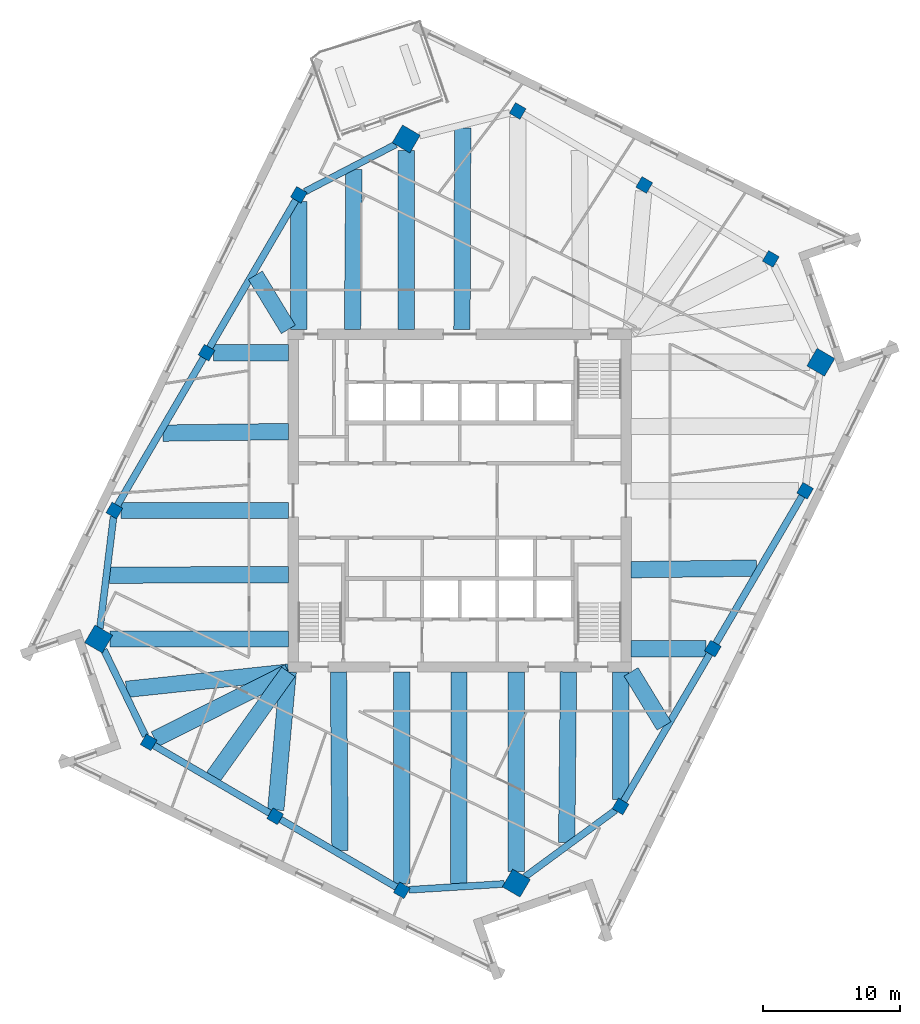
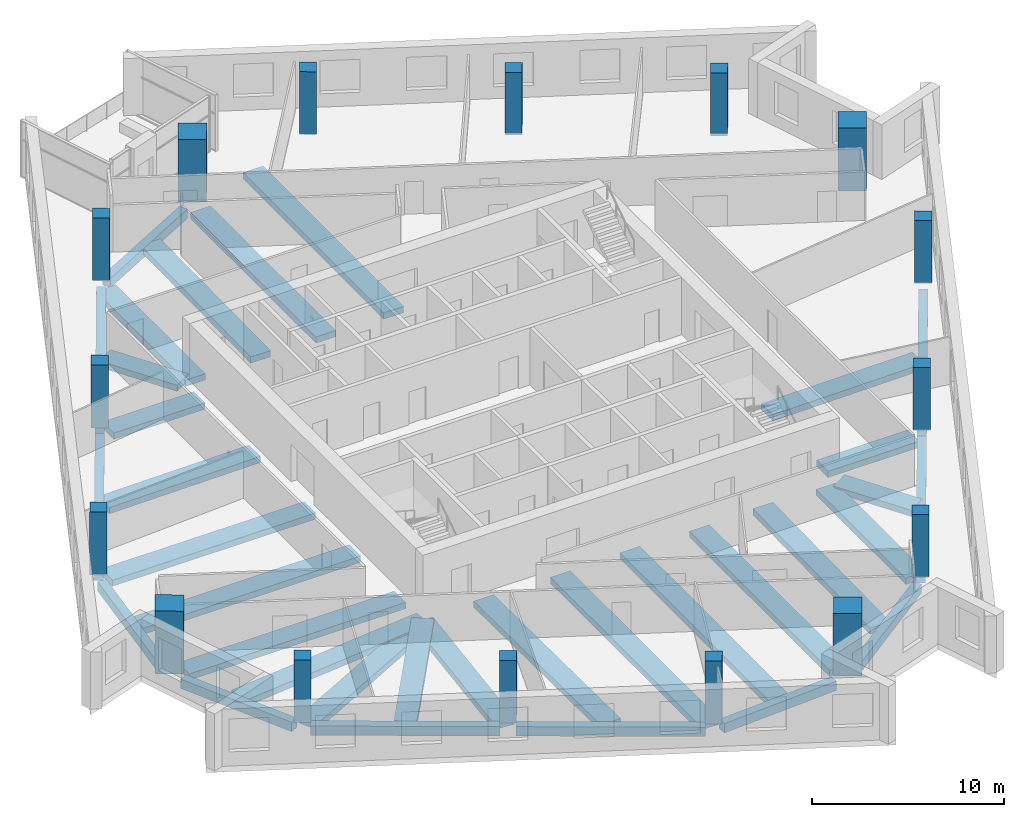
# One storey, part 1 of 13: 34 beams, 16 columns.
"""IFC4 building model written with IfcOpenShell, lengths in metres."""

from ifc_helpers import new_model, si_unit, direction, frame, origin, origin_2d, place, context, subcontext, project, spatial, rectangle, extrude, material, material_profile, profile_set, type_object, element, save


model = new_model("IFC4")

# Units and contexts
model_context = context("Model", 3, precision=1e-05, world=origin(), true_north=direction((0.0, 1.0)))
body_context = subcontext(model_context, "Body", "Model", "MODEL_VIEW")
ifc_project = project(units=[si_unit("LENGTHUNIT", "METRE"), si_unit("AREAUNIT", "SQUARE_METRE"), si_unit("VOLUMEUNIT", "CUBIC_METRE"), si_unit("PLANEANGLEUNIT", "RADIAN"), si_unit("MASSUNIT", "GRAM", prefix="KILO")], contexts=[model_context])

# Site, building, storey
site_placement = place(None, origin())
site = spatial("IfcSite", under=ifc_project, at=site_placement, CompositionType="ELEMENT")
building_placement = place(site_placement, origin())
building = spatial("IfcBuilding", under=site, at=building_placement, Name="Dilmun Exchange Tower", CompositionType="ELEMENT")
storey_placement = place(building_placement, frame((0.0, 0.0, 286.89990234375)))
storey = spatial("IfcBuildingStorey", under=building, at=storey_placement, Name="L68", CompositionType="ELEMENT", Elevation=286.89990234375)

# Columns
ifc_material_1 = material(Name="Concrete C50/60", Category="concrete")
ifc_material_profile_1 = material_profile(ifc_material_1, rectangle(XDim=1.5, YDim=1.5, at=origin_2d()), Name="1500 x 1500")
ifc_profile_set_1 = profile_set([ifc_material_profile_1], Name="Concrete C50/60")
column_type_1 = type_object("IfcColumnType", Name="RC mega column 1500 x 1500 C50/60", PredefinedType="COLUMN", material=ifc_profile_set_1)
for number, where, z_axis, x_axis, name in (
    (1, (-3.9150390625, 26.45703125, 0.0), (0.0, 0.0, 1.0), (0.504643651291, 0.863327739165, 0.0), "Mega column M1"),
    (2, (-26.4150390625, -10.1220703125, 0.0), (0.0, 0.0, 1.0), (0.504643651291, 0.863327739165, 0.0), "Mega column M2"),
    (3, (4.14111328125, -27.98291015625, 0.0), (0.0, 0.0, 1.0), (0.504643651291, 0.863327739165, 0.0), "Mega column M3"),
    (4, (26.4150390625, 10.1220703125, 0.0), (0.0, 0.0, 1.0), (0.504643651291, 0.863327739165, 0.0), "Mega column M4"),
):
    element("IfcColumn", number, at=place(storey_placement, frame(where, z_axis=z_axis, x_axis=x_axis)), inside=storey, type_object=column_type_1, Name=name, PredefinedType="COLUMN", context=body_context, shape_type="SweptSolid", body=[
        extrude(rectangle(XDim=1.5, YDim=1.5, at=origin_2d()), origin(), (0.0, 0.0, 1.0), 4.0),
    ])
ifc_material_profile_2 = material_profile(ifc_material_1, rectangle(XDim=0.89990234375, YDim=0.89990234375, at=origin_2d()), Name="900 x 900")
ifc_profile_set_2 = profile_set([ifc_material_profile_2], Name="Concrete C50/60")
column_type_2 = type_object("IfcColumnType", Name="RC ring column 900 x 900 C50/60", PredefinedType="COLUMN", material=ifc_profile_set_2)
for number, where, z_axis, x_axis, name in (
    (5, (-11.76904296875, 22.3720703125, 0.0), (0.0, 0.0, 1.0), (0.504643651291, 0.863327739165, 0.0), "Ring column R01"),
    (6, (-18.51806640625, 10.824951171875, 0.0), (0.0, 0.0, 1.0), (0.504643651291, 0.863327739165, 0.0), "Ring column R02"),
    (7, (-25.26806640625, -0.721923828125, 0.0), (0.0, 0.0, 1.0), (0.504643651291, 0.863327739165, 0.0), "Ring column R03"),
    (8, (-22.758056640625, -17.681884765625, 0.0), (0.0, 0.0, 1.0), (0.504643651291, 0.863327739165, 0.0), "Ring column R04"),
    (9, (-13.4990234375, -23.093994140625, 0.0), (0.0, 0.0, 1.0), (0.504643651291, 0.863327739165, 0.0), "Ring column R05"),
    (10, (-4.239990234375, -28.506103515625, 0.0), (0.0, 0.0, 1.0), (0.504643651291, 0.863327739165, 0.0), "Ring column R06"),
    (11, (11.76904296875, -22.3720703125, 0.0), (0.0, 0.0, 1.0), (0.504643651291, 0.863327739165, 0.0), "Ring column R07"),
    (12, (18.51806640625, -10.824951171875, 0.0), (0.0, 0.0, 1.0), (0.504643651291, 0.863327739165, 0.0), "Ring column R08"),
    (13, (25.26806640625, 0.721923828125, 0.0), (0.0, 0.0, 1.0), (0.504643651291, 0.863327739165, 0.0), "Ring column R09"),
    (14, (22.758056640625, 17.681884765625, 0.0), (0.0, 0.0, 1.0), (0.504643651291, 0.863327739165, 0.0), "Ring column R10"),
    (15, (13.4990234375, 23.093994140625, 0.0), (0.0, 0.0, 1.0), (0.504643651291, 0.863327739165, 0.0), "Ring column R11"),
    (16, (4.239990234375, 28.506103515625, 0.0), (0.0, 0.0, 1.0), (0.504643651291, 0.863327739165, 0.0), "Ring column R12"),
):
    element("IfcColumn", number, at=place(storey_placement, frame(where, z_axis=z_axis, x_axis=x_axis)), inside=storey, type_object=column_type_2, Name=name, PredefinedType="COLUMN", context=body_context, shape_type="SweptSolid", body=[
        extrude(rectangle(XDim=0.89990234375, YDim=0.89990234375, at=origin_2d()), origin(), (0.0, 0.0, 1.0), 4.0),
    ])

# Beams
ifc_material_2 = material(Name="Concrete C40/50", Category="concrete")
ifc_material_profile_3 = material_profile(ifc_material_2, rectangle(XDim=1.199951171875, YDim=0.39990234375, at=origin_2d()), Name="1200 x 400")
ifc_profile_set_3 = profile_set([ifc_material_profile_3], Name="Concrete C40/50")
beam_type_1 = type_object("IfcBeamType", Name="RC band beam 1200 x 400 C40/50", PredefinedType="BEAM", material=ifc_profile_set_3)
beam_1_placement = place(storey_placement, frame((-3.9150390625, 25.615234375, -0.659912109375), z_axis=(0.0, -1.0, 0.0), x_axis=(1.0, 0.0, 0.0)))
element("IfcBeam", 17, at=beam_1_placement, inside=storey, type_object=beam_type_1, Name="Band beam 1", PredefinedType="BEAM", context=body_context, shape_type="SweptSolid", body=[
    extrude(rectangle(XDim=1.199951171875, YDim=0.39990234375, at=origin_2d()), origin(), (0.0, 0.0, 1.0), 13.09228515625),
])
beam_2_placement = place(storey_placement, frame((-11.76904296875, 21.877685546875, -0.659912109375), z_axis=(0.0, -1.0, 0.0), x_axis=(1.0, 0.0, 0.0)))
element("IfcBeam", 18, at=beam_2_placement, inside=storey, type_object=beam_type_1, Name="Band beam 2", PredefinedType="BEAM", context=body_context, shape_type="SweptSolid", body=[
    extrude(rectangle(XDim=1.199951171875, YDim=0.39990234375, at=origin_2d()), origin(), (0.0, 0.0, 1.0), 9.354736328125),
])
beam_3_placement = place(storey_placement, frame((-18.023681640625, 10.824951171875, -0.659912109375), z_axis=(1.0, 0.0, 0.0), x_axis=(0.0, 1.0, 0.0)))
element("IfcBeam", 19, at=beam_3_placement, inside=storey, type_object=beam_type_1, Name="Band beam 3", PredefinedType="BEAM", context=body_context, shape_type="SweptSolid", body=[
    extrude(rectangle(XDim=1.199951171875, YDim=0.39990234375, at=origin_2d()), origin(), (0.0, 0.0, 1.0), 5.500732421875),
])
beam_4_placement = place(storey_placement, frame((-24.773681640625, -0.721923828125, -0.659912109375), z_axis=(1.0, 0.0, 0.0), x_axis=(0.0, 1.0, 0.0)))
element("IfcBeam", 20, at=beam_4_placement, inside=storey, type_object=beam_type_1, Name="Band beam 4", PredefinedType="BEAM", context=body_context, shape_type="SweptSolid", body=[
    extrude(rectangle(XDim=1.199951171875, YDim=0.39990234375, at=origin_2d()), origin(), (0.0, 0.0, 1.0), 12.250732421875),
])
beam_5_placement = place(storey_placement, frame((-25.5732421875, -10.1220703125, -0.659912109375), z_axis=(1.0, 0.0, 0.0), x_axis=(0.0, 1.0, 0.0)))
element("IfcBeam", 21, at=beam_5_placement, inside=storey, type_object=beam_type_1, Name="Band beam 5", PredefinedType="BEAM", context=body_context, shape_type="SweptSolid", body=[
    extrude(rectangle(XDim=1.199951171875, YDim=0.39990234375, at=origin_2d()), origin(), (0.0, 0.0, 1.0), 13.05029296875),
])
beam_6_placement = place(storey_placement, frame((-22.302734375, -17.453125, -0.659912109375), z_axis=(0.893443377394, 0.449175835716, 0.0), x_axis=(-0.449175835716, 0.893443377394, 0.0)))
element("IfcBeam", 22, at=beam_6_placement, inside=storey, type_object=beam_type_1, Name="Band beam 6", PredefinedType="BEAM", context=body_context, shape_type="SweptSolid", body=[
    extrude(rectangle(XDim=1.199951171875, YDim=0.39990234375, at=origin_2d()), origin(), (0.0, 0.0, 1.0), 10.94287109375),
])
beam_7_placement = place(storey_placement, frame((-13.456787109375, -22.625732421875, -0.659912109375), z_axis=(0.089632924375, 0.995974868593, 0.0), x_axis=(-0.995974868593, 0.089632924375, 0.0)))
element("IfcBeam", 23, at=beam_7_placement, inside=storey, type_object=beam_type_1, Name="Band beam 7", PredefinedType="BEAM", context=body_context, shape_type="SweptSolid", body=[
    extrude(rectangle(XDim=1.199951171875, YDim=0.39990234375, at=origin_2d()), origin(), (0.0, 0.0, 1.0), 10.143310546875),
])
beam_8_placement = place(storey_placement, frame((-4.239990234375, -28.01171875, -0.659912109375), z_axis=(0.0, 1.0, 0.0), x_axis=(-1.0, 0.0, 0.0)))
element("IfcBeam", 24, at=beam_8_placement, inside=storey, type_object=beam_type_1, Name="Band beam 8", PredefinedType="BEAM", context=body_context, shape_type="SweptSolid", body=[
    extrude(rectangle(XDim=1.199951171875, YDim=0.39990234375, at=origin_2d()), origin(), (0.0, 0.0, 1.0), 15.48876953125),
])
beam_9_placement = place(storey_placement, frame((4.14111328125, -27.141357421875, -0.659912109375), z_axis=(0.0, 1.0, 0.0), x_axis=(-1.0, 0.0, 0.0)))
element("IfcBeam", 25, at=beam_9_placement, inside=storey, type_object=beam_type_1, Name="Band beam 9", PredefinedType="BEAM", context=body_context, shape_type="SweptSolid", body=[
    extrude(rectangle(XDim=1.199951171875, YDim=0.39990234375, at=origin_2d()), origin(), (0.0, 0.0, 1.0), 14.618408203125),
])
beam_10_placement = place(storey_placement, frame((11.76904296875, -21.877685546875, -0.659912109375), z_axis=(0.0, 1.0, 0.0), x_axis=(-1.0, 0.0, 0.0)))
element("IfcBeam", 26, at=beam_10_placement, inside=storey, type_object=beam_type_1, Name="Band beam 10", PredefinedType="BEAM", context=body_context, shape_type="SweptSolid", body=[
    extrude(rectangle(XDim=1.199951171875, YDim=0.39990234375, at=origin_2d()), origin(), (0.0, 0.0, 1.0), 9.354736328125),
])
beam_11_placement = place(storey_placement, frame((18.023681640625, -10.824951171875, -0.659912109375), z_axis=(-1.0, 0.0, 0.0), x_axis=(0.0, -1.0, 0.0)))
element("IfcBeam", 27, at=beam_11_placement, inside=storey, type_object=beam_type_1, Name="Band beam 11", PredefinedType="BEAM", context=body_context, shape_type="SweptSolid", body=[
    extrude(rectangle(XDim=1.199951171875, YDim=0.39990234375, at=origin_2d()), origin(), (0.0, 0.0, 1.0), 5.500732421875),
])
beam_12_placement = place(storey_placement, frame((-7.739013671875, 24.216796875, -0.559814453125), z_axis=(-0.008810046818, -0.999961190784, 0.0), x_axis=(0.999961190784, -0.008810046818, 0.0)))
element("IfcBeam", 28, at=beam_12_placement, inside=storey, type_object=beam_type_1, Name="Band beam 17", PredefinedType="BEAM", context=body_context, shape_type="SweptSolid", body=[
    extrude(rectangle(XDim=1.199951171875, YDim=0.39990234375, at=origin_2d()), origin(), (0.0, 0.0, 1.0), 11.6943359375),
])
beam_13_placement = place(storey_placement, frame((-14.950927734375, 16.486083984375, -0.559814453125), z_axis=(0.520868546878, -0.853636899901, 0.0), x_axis=(0.853636899901, 0.520868546878, 0.0)))
element("IfcBeam", 29, at=beam_13_placement, inside=storey, type_object=beam_type_1, Name="Band beam 18", PredefinedType="BEAM", context=body_context, shape_type="SweptSolid", body=[
    extrude(rectangle(XDim=1.199951171875, YDim=0.39990234375, at=origin_2d()), origin(), (0.0, 0.0, 1.0), 4.637451171875),
])
beam_14_placement = place(storey_placement, frame((-21.700439453125, 4.93896484375, -0.559814453125), z_axis=(0.999924810861, 0.01226265164, 0.0), x_axis=(-0.01226265164, 0.999924810861, 0.0)))
element("IfcBeam", 30, at=beam_14_placement, inside=storey, type_object=beam_type_1, Name="Band beam 19", PredefinedType="BEAM", context=body_context, shape_type="SweptSolid", body=[
    extrude(rectangle(XDim=1.199951171875, YDim=0.39990234375, at=origin_2d()), origin(), (0.0, 0.0, 1.0), 9.17822265625),
])
beam_15_placement = place(storey_placement, frame((-25.6201171875, -5.448974609375, -0.559814453125), z_axis=(0.999997897774, 0.002050474756, 0.0), x_axis=(-0.002050474756, 0.999997897774, 0.0)))
element("IfcBeam", 31, at=beam_15_placement, inside=storey, type_object=beam_type_1, Name="Band beam 20", PredefinedType="BEAM", context=body_context, shape_type="SweptSolid", body=[
    extrude(rectangle(XDim=1.199951171875, YDim=0.39990234375, at=origin_2d()), origin(), (0.0, 0.0, 1.0), 13.09716796875),
])
beam_16_placement = place(storey_placement, frame((-24.3857421875, -13.804931640625, -0.559814453125), z_axis=(0.994425543871, 0.105441157505, 0.0), x_axis=(-0.105441157505, 0.994425543871, 0.0)))
element("IfcBeam", 32, at=beam_16_placement, inside=storey, type_object=beam_type_1, Name="Band beam 21", PredefinedType="BEAM", context=body_context, shape_type="SweptSolid", body=[
    extrude(rectangle(XDim=1.199951171875, YDim=0.39990234375, at=origin_2d()), origin(), (0.0, 0.0, 1.0), 11.928955078125),
])
beam_17_placement = place(storey_placement, frame((-18.01611328125, -20.195556640625, -0.559814453125), z_axis=(0.581600762294, 0.81347437163, 0.0), x_axis=(-0.81347437163, 0.581600762294, 0.0)))
element("IfcBeam", 33, at=beam_17_placement, inside=storey, type_object=beam_type_1, Name="Band beam 22", PredefinedType="BEAM", context=body_context, shape_type="SweptSolid", body=[
    extrude(rectangle(XDim=1.199951171875, YDim=0.39990234375, at=origin_2d()), origin(), (0.0, 0.0, 1.0), 9.425537109375),
])
beam_18_placement = place(storey_placement, frame((-8.757080078125, -25.607421875, -0.559814453125), z_axis=(-0.008582734208, 0.999963167658, 0.0), x_axis=(-0.999963167658, -0.008582734208, 0.0)))
element("IfcBeam", 34, at=beam_18_placement, inside=storey, type_object=beam_type_1, Name="Band beam 23", PredefinedType="BEAM", context=body_context, shape_type="SweptSolid", body=[
    extrude(rectangle(XDim=1.199951171875, YDim=0.39990234375, at=origin_2d()), origin(), (0.0, 0.0, 1.0), 13.0849609375),
])
beam_19_placement = place(storey_placement, frame((-0.0634765625, -28.02197265625, -0.559814453125), z_axis=(0.000897863667, 0.99999959692, 0.0), x_axis=(-0.99999959692, 0.000897863667, 0.0)))
element("IfcBeam", 35, at=beam_19_placement, inside=storey, type_object=beam_type_1, Name="Band beam 24", PredefinedType="BEAM", context=body_context, shape_type="SweptSolid", body=[
    extrude(rectangle(XDim=1.199951171875, YDim=0.39990234375, at=origin_2d()), origin(), (0.0, 0.0, 1.0), 15.4990234375),
])
beam_20_placement = place(storey_placement, frame((7.822998046875, -24.997802734375, -0.559814453125), z_axis=(0.010587112348, 0.999943954956, 0.0), x_axis=(-0.999943954956, 0.010587112348, 0.0)))
element("IfcBeam", 36, at=beam_20_placement, inside=storey, type_object=beam_type_1, Name="Band beam 25", PredefinedType="BEAM", context=body_context, shape_type="SweptSolid", body=[
    extrude(rectangle(XDim=1.199951171875, YDim=0.39990234375, at=origin_2d()), origin(), (0.0, 0.0, 1.0), 12.4755859375),
])
beam_21_placement = place(storey_placement, frame((14.950927734375, -16.486083984375, -0.559814453125), z_axis=(-0.520868546878, 0.853636899901, 0.0), x_axis=(-0.853636899901, -0.520868546878, 0.0)))
element("IfcBeam", 37, at=beam_21_placement, inside=storey, type_object=beam_type_1, Name="Band beam 26", PredefinedType="BEAM", context=body_context, shape_type="SweptSolid", body=[
    extrude(rectangle(XDim=1.199951171875, YDim=0.39990234375, at=origin_2d()), origin(), (0.0, 0.0, 1.0), 4.637451171875),
])
beam_22_placement = place(storey_placement, frame((21.700439453125, -4.93896484375, -0.559814453125), z_axis=(-0.999924810861, -0.01226265164, 0.0), x_axis=(0.01226265164, -0.999924810861, 0.0)))
element("IfcBeam", 38, at=beam_22_placement, inside=storey, type_object=beam_type_1, Name="Band beam 27", PredefinedType="BEAM", context=body_context, shape_type="SweptSolid", body=[
    extrude(rectangle(XDim=1.199951171875, YDim=0.39990234375, at=origin_2d()), origin(), (0.0, 0.0, 1.0), 9.17822265625),
])
beam_23_placement = place(storey_placement, frame((0.216796875, 27.26513671875, -0.559814453125), z_axis=(-0.003676445742, -0.999993241851, 0.0), x_axis=(0.999993241851, -0.003676445742, 0.0)))
element("IfcBeam", 39, at=beam_23_placement, inside=storey, type_object=beam_type_1, Name="Band beam 32", PredefinedType="BEAM", context=body_context, shape_type="SweptSolid", body=[
    extrude(rectangle(XDim=1.199951171875, YDim=0.39990234375, at=origin_2d()), origin(), (0.0, 0.0, 1.0), 14.7421875),
])
ifc_material_profile_4 = material_profile(ifc_material_2, rectangle(XDim=0.5, YDim=0.60009765625, at=origin_2d()), Name="500 x 600")
ifc_profile_set_4 = profile_set([ifc_material_profile_4], Name="Concrete C40/50")
beam_type_2 = type_object("IfcBeamType", Name="RC ring beam 500 x 600 C40/50", PredefinedType="SPANDREL", material=ifc_profile_set_4)
beam_24_placement = place(storey_placement, frame((-4.677490234375, 26.060302734375, -0.659912109375), z_axis=(-0.887179966585, -0.461423565599, 0.0), x_axis=(0.461423565599, -0.887179966585, 0.0)))
element("IfcBeam", 40, at=beam_24_placement, inside=storey, type_object=beam_type_2, Name="Ring beam 1", PredefinedType="SPANDREL", context=body_context, shape_type="SweptSolid", body=[
    extrude(rectangle(XDim=0.5, YDim=0.60009765625, at=origin_2d()), origin(), (0.0, 0.0, 1.0), 7.48828125),
])
beam_25_placement = place(storey_placement, frame((-11.982421875, 22.0068359375, -0.659912109375), z_axis=(-0.504603860956, -0.863350996703, 0.0), x_axis=(0.863350996703, -0.504603860956, 0.0)))
element("IfcBeam", 41, at=beam_25_placement, inside=storey, type_object=beam_type_2, Name="Ring beam 2", PredefinedType="SPANDREL", context=body_context, shape_type="SweptSolid", body=[
    extrude(rectangle(XDim=0.5, YDim=0.60009765625, at=origin_2d()), origin(), (0.0, 0.0, 1.0), 12.528564453125),
])
beam_26_placement = place(storey_placement, frame((-18.7314453125, 10.459716796875, -0.659912109375), z_axis=(-0.504670446374, -0.863312075994, 0.0), x_axis=(0.863312075994, -0.504670446374, 0.0)))
element("IfcBeam", 42, at=beam_26_placement, inside=storey, type_object=beam_type_2, Name="Ring beam 3", PredefinedType="SPANDREL", context=body_context, shape_type="SweptSolid", body=[
    extrude(rectangle(XDim=0.5, YDim=0.60009765625, at=origin_2d()), origin(), (0.0, 0.0, 1.0), 12.529052734375),
])
beam_27_placement = place(storey_placement, frame((-25.32421875, -1.181640625, -0.659912109375), z_axis=(-0.121108645076, -0.992639257781, 0.0), x_axis=(0.992639257781, -0.121108645076, 0.0)))
element("IfcBeam", 43, at=beam_27_placement, inside=storey, type_object=beam_type_2, Name="Ring beam 4", PredefinedType="SPANDREL", context=body_context, shape_type="SweptSolid", body=[
    extrude(rectangle(XDim=0.5, YDim=0.60009765625, at=origin_2d()), origin(), (0.0, 0.0, 1.0), 8.216796875),
])
beam_28_placement = place(storey_placement, frame((-26.033447265625, -10.910888671875, -0.659912109375), z_axis=(0.435439794363, -0.900217854458, 0.0), x_axis=(0.900217854458, 0.435439794363, 0.0)))
element("IfcBeam", 44, at=beam_28_placement, inside=storey, type_object=beam_type_2, Name="Ring beam 5", PredefinedType="SPANDREL", context=body_context, shape_type="SweptSolid", body=[
    extrude(rectangle(XDim=0.5, YDim=0.60009765625, at=origin_2d()), origin(), (0.0, 0.0, 1.0), 7.0068359375),
])
beam_29_placement = place(storey_placement, frame((-22.392822265625, -17.8955078125, -0.659912109375), z_axis=(0.863333071594, -0.504634528637, 0.0), x_axis=(0.504634528637, 0.863333071594, 0.0)))
element("IfcBeam", 45, at=beam_29_placement, inside=storey, type_object=beam_type_2, Name="Ring beam 6", PredefinedType="SPANDREL", context=body_context, shape_type="SweptSolid", body=[
    extrude(rectangle(XDim=0.5, YDim=0.60009765625, at=origin_2d()), origin(), (0.0, 0.0, 1.0), 9.878662109375),
])
beam_30_placement = place(storey_placement, frame((-13.1337890625, -23.3076171875, -0.659912109375), z_axis=(0.863343838609, -0.504616107884, 0.0), x_axis=(0.504616107884, 0.863343838609, 0.0)))
element("IfcBeam", 46, at=beam_30_placement, inside=storey, type_object=beam_type_2, Name="Ring beam 7", PredefinedType="SPANDREL", context=body_context, shape_type="SweptSolid", body=[
    extrude(rectangle(XDim=0.5, YDim=0.60009765625, at=origin_2d()), origin(), (0.0, 0.0, 1.0), 9.87841796875),
])
beam_31_placement = place(storey_placement, frame((-3.72607421875, -28.473876953125, -0.659912109375), z_axis=(0.998059216844, 0.062271981443, 0.0), x_axis=(-0.062271981443, 0.998059216844, 0.0)))
element("IfcBeam", 47, at=beam_31_placement, inside=storey, type_object=beam_type_2, Name="Ring beam 8", PredefinedType="SPANDREL", context=body_context, shape_type="SweptSolid", body=[
    extrude(rectangle(XDim=0.5, YDim=0.60009765625, at=origin_2d()), origin(), (0.0, 0.0, 1.0), 7.006103515625),
])
beam_32_placement = place(storey_placement, frame((4.77734375, -27.514892578125, -0.659912109375), z_axis=(0.805549228719, 0.592528851711, 0.0), x_axis=(-0.592528851711, 0.805549228719, 0.0)))
element("IfcBeam", 48, at=beam_32_placement, inside=storey, type_object=beam_type_2, Name="Ring beam 9", PredefinedType="SPANDREL", context=body_context, shape_type="SweptSolid", body=[
    extrude(rectangle(XDim=0.5, YDim=0.60009765625, at=origin_2d()), origin(), (0.0, 0.0, 1.0), 8.21630859375),
])
beam_33_placement = place(storey_placement, frame((11.982421875, -22.0068359375, -0.659912109375), z_axis=(0.504603860956, 0.863350996703, 0.0), x_axis=(-0.863350996703, 0.504603860956, 0.0)))
element("IfcBeam", 49, at=beam_33_placement, inside=storey, type_object=beam_type_2, Name="Ring beam 10", PredefinedType="SPANDREL", context=body_context, shape_type="SweptSolid", body=[
    extrude(rectangle(XDim=0.5, YDim=0.60009765625, at=origin_2d()), origin(), (0.0, 0.0, 1.0), 12.528564453125),
])
beam_34_placement = place(storey_placement, frame((18.7314453125, -10.459716796875, -0.659912109375), z_axis=(0.504670446374, 0.863312075994, 0.0), x_axis=(-0.863312075994, 0.504670446374, 0.0)))
element("IfcBeam", 50, at=beam_34_placement, inside=storey, type_object=beam_type_2, Name="Ring beam 11", PredefinedType="SPANDREL", context=body_context, shape_type="SweptSolid", body=[
    extrude(rectangle(XDim=0.5, YDim=0.60009765625, at=origin_2d()), origin(), (0.0, 0.0, 1.0), 12.529052734375),
])

save(model, "model.ifc")
